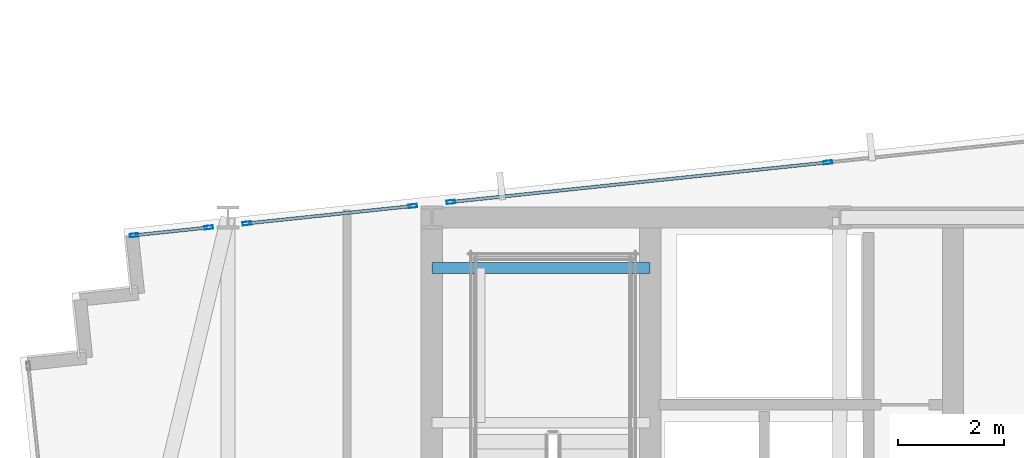
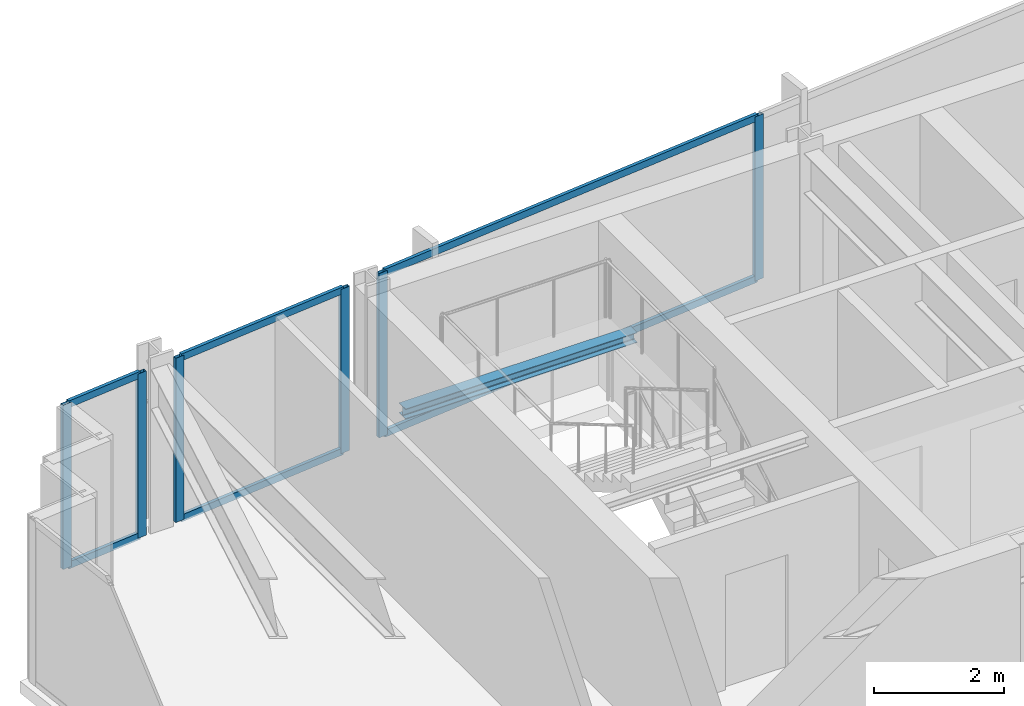
# One storey, part 20 of 33: 12 members, 1 beam, 3 elements without a shape of their own.
"""IFC4 building model written with IfcOpenShell, lengths in metres."""

from ifc_helpers import new_model, si_unit, direction, frame, origin, origin_2d, place, context, subcontext, project, spatial, hollow_rectangle, i_section, extrude, material, material_profile, profile_set, type_object, element, aggregate, save


model = new_model("IFC4")

# Units and contexts
model_context = context("Model", 3, precision=1e-05, world=origin(), true_north=direction((0.0, 1.0)))
body_context = subcontext(model_context, "Body", "Model", "MODEL_VIEW")
ifc_project = project(units=[si_unit("LENGTHUNIT", "METRE"), si_unit("AREAUNIT", "SQUARE_METRE"), si_unit("VOLUMEUNIT", "CUBIC_METRE"), si_unit("PLANEANGLEUNIT", "RADIAN"), si_unit("MASSUNIT", "GRAM", prefix="KILO")], contexts=[model_context])

# Site, building, storey
site_placement = place(None, origin())
site = spatial("IfcSite", under=ifc_project, at=site_placement, CompositionType="ELEMENT")
building_placement = place(site_placement, origin())
building = spatial("IfcBuilding", under=site, at=building_placement, Name="Yelkora Congress Tower", CompositionType="ELEMENT")
storey_placement = place(building_placement, frame((0.0, 0.0, 221.0)))
storey = spatial("IfcBuildingStorey", under=building, at=storey_placement, Name="L61", CompositionType="ELEMENT", Elevation=221.0)

# Beam
ifc_material_1 = material(Name="Steel S355J2", Category="steel")
ifc_material_profile_1 = material_profile(ifc_material_1, i_section(OverallWidth=0.199951171875, OverallDepth=0.18994140625, WebThickness=0.006591796875, FlangeThickness=0.010009765625, FilletRadius=0.01806640625, at=origin_2d()), Name="HEA 200")
ifc_profile_set_1 = profile_set([ifc_material_profile_1], Name="Steel S355J2")
beam_type = type_object("IfcBeamType", Name="BM-LAND-HEA200", PredefinedType="BEAM", material=ifc_profile_set_1)
beam_placement = place(storey_placement, frame((23.0400390625, 45.25, 1.334716796875), z_axis=(1.0, 0.0, 0.0), x_axis=(0.0, 1.0, 0.0)))
element("IfcBeam", 1, at=beam_placement, inside=storey, type_object=beam_type, Name="ST-01 L61 Landing Header Beam 1N", PredefinedType="BEAM", context=body_context, shape_type="SweptSolid", body=[
    extrude(i_section(OverallWidth=0.199951171875, OverallDepth=0.18994140625, WebThickness=0.006591796875, FlangeThickness=0.010009765625, FilletRadius=0.01806640625, at=origin_2d()), origin(), (0.0, 0.0, 1.0), 4.10986328125),
])

# Curtain wall, members
ifc_material_2 = material(Name="Anodised aluminium and insulated glass", Category="aluminium")
curtain_wall_type = type_object("IfcCurtainWallType", Name="CW-SYS-B4", PredefinedType="NOTDEFINED", material=ifc_material_2)
curtain_wall_1_placement = place(storey_placement, origin())
curtain_wall_1 = element("IfcCurtainWall", 2, at=curtain_wall_1_placement, inside=storey, type_object=curtain_wall_type, Name="L61 Unitised Curtain Wall 10 (1)", PredefinedType="NOTDEFINED")
ifc_material_3 = material(Name="Anodised aluminium 6063-T6", Category="aluminium")
ifc_material_profile_2 = material_profile(ifc_material_3, hollow_rectangle(XDim=0.06494140625, YDim=0.159912109375, WallThickness=0.00390625, at=origin_2d()), Name="ALU 65x160x4")
ifc_profile_set_2 = profile_set([ifc_material_profile_2], Name="Anodised aluminium 6063-T6")
member_type_1 = type_object("IfcMemberType", Name="MEM-ML-B4", PredefinedType="MULLION", material=ifc_profile_set_2)
member_1_placement = place(storey_placement, frame((17.431396484375, 45.865966796875, 0.0), z_axis=(0.0, 0.0, 1.0), x_axis=(-0.104509292244, 0.994523910137, 0.0)))
member_1 = element("IfcMember", 3, at=member_1_placement, type_object=member_type_1, Name="CW-B4 mullion 1", PredefinedType="MULLION", context=body_context, shape_type="SweptSolid", body=[
    extrude(hollow_rectangle(XDim=0.06494140625, YDim=0.159912109375, WallThickness=0.00390625, at=origin_2d()), origin(), (0.0, 0.0, 1.0), 3.080078125),
])
member_2_placement = place(storey_placement, frame((18.841796875, 46.01416015625, 0.0), z_axis=(0.0, 0.0, 1.0), x_axis=(-0.104509292244, 0.994523910137, 0.0)))
member_2 = element("IfcMember", 4, at=member_2_placement, type_object=member_type_1, Name="CW-B4 mullion 2", PredefinedType="MULLION", context=body_context, shape_type="SweptSolid", body=[
    extrude(hollow_rectangle(XDim=0.06494140625, YDim=0.159912109375, WallThickness=0.00390625, at=origin_2d()), origin(), (0.0, 0.0, 1.0), 3.080078125),
])

curtain_wall_2_placement = place(storey_placement, origin())
curtain_wall_2 = element("IfcCurtainWall", 5, at=curtain_wall_2_placement, inside=storey, type_object=curtain_wall_type, Name="L61 Unitised Curtain Wall 10 (2)", PredefinedType="NOTDEFINED")
member_3_placement = place(storey_placement, frame((19.558349609375, 46.089599609375, 0.0), z_axis=(0.0, 0.0, 1.0), x_axis=(-0.104506154437, 0.994524239868, 0.0)))
member_3 = element("IfcMember", 6, at=member_3_placement, type_object=member_type_1, Name="CW-B4 mullion 1", PredefinedType="MULLION", context=body_context, shape_type="SweptSolid", body=[
    extrude(hollow_rectangle(XDim=0.06494140625, YDim=0.159912109375, WallThickness=0.00390625, at=origin_2d()), origin(), (0.0, 0.0, 1.0), 3.080078125),
])
member_4_placement = place(storey_placement, frame((22.681640625, 46.417724609375, 0.0), z_axis=(0.0, 0.0, 1.0), x_axis=(-0.104506154437, 0.994524239868, 0.0)))
member_4 = element("IfcMember", 7, at=member_4_placement, type_object=member_type_1, Name="CW-B4 mullion 2", PredefinedType="MULLION", context=body_context, shape_type="SweptSolid", body=[
    extrude(hollow_rectangle(XDim=0.06494140625, YDim=0.159912109375, WallThickness=0.00390625, at=origin_2d()), origin(), (0.0, 0.0, 1.0), 3.080078125),
])

curtain_wall_3_placement = place(storey_placement, origin())
curtain_wall_3 = element("IfcCurtainWall", 8, at=curtain_wall_3_placement, inside=storey, type_object=curtain_wall_type, Name="L61 Unitised Curtain Wall 10 (3)", PredefinedType="NOTDEFINED")
member_5_placement = place(storey_placement, frame((23.3984375, 46.4931640625, 0.0), z_axis=(0.0, 0.0, 1.0), x_axis=(-0.104527724021, 0.994521973066, 0.0)))
member_5 = element("IfcMember", 9, at=member_5_placement, type_object=member_type_1, Name="CW-B4 mullion 1", PredefinedType="MULLION", context=body_context, shape_type="SweptSolid", body=[
    extrude(hollow_rectangle(XDim=0.06494140625, YDim=0.159912109375, WallThickness=0.00390625, at=origin_2d()), origin(), (0.0, 0.0, 1.0), 3.080078125),
])
member_6_placement = place(storey_placement, frame((30.496826171875, 47.2392578125, 0.0), z_axis=(0.0, 0.0, 1.0), x_axis=(-0.104527724021, 0.994521973066, 0.0)))
member_6 = element("IfcMember", 10, at=member_6_placement, type_object=member_type_1, Name="CW-B4 mullion 2", PredefinedType="MULLION", context=body_context, shape_type="SweptSolid", body=[
    extrude(hollow_rectangle(XDim=0.06494140625, YDim=0.159912109375, WallThickness=0.00390625, at=origin_2d()), origin(), (0.0, 0.0, 1.0), 3.080078125),
])

# Member
ifc_material_profile_3 = material_profile(ifc_material_3, hollow_rectangle(XDim=0.06005859375, YDim=0.1298828125, WallThickness=0.00390625, at=origin_2d()), Name="ALU 60x130x4")
ifc_profile_set_3 = profile_set([ifc_material_profile_3], Name="Anodised aluminium 6063-T6")
member_type_2 = type_object("IfcMemberType", Name="MEM-TR-B4", PredefinedType="USERDEFINED", material=ifc_profile_set_3)
member_7_placement = place(storey_placement, frame((17.463623046875, 45.869384765625, 0.030029296875), z_axis=(0.994528168538, 0.10446876081, 0.0), x_axis=(-0.10446876081, 0.994528168538, 0.0)))
member_7 = element("IfcMember", 11, at=member_7_placement, type_object=member_type_2, Name="CW-B4 transom 1.1", ObjectType="TRANSOM", PredefinedType="USERDEFINED", context=body_context, shape_type="SweptSolid", body=[
    extrude(hollow_rectangle(XDim=0.06005859375, YDim=0.1298828125, WallThickness=0.00390625, at=origin_2d()), origin(), (0.0, 0.0, 1.0), 1.35302734375),
])

member_8_placement = place(storey_placement, frame((17.463623046875, 45.869384765625, 3.050048828125), z_axis=(0.994528168538, 0.10446876081, 0.0), x_axis=(-0.10446876081, 0.994528168538, 0.0)))
member_8 = element("IfcMember", 12, at=member_8_placement, type_object=member_type_2, Name="CW-B4 transom 1.2", ObjectType="TRANSOM", PredefinedType="USERDEFINED", context=body_context, shape_type="SweptSolid", body=[
    extrude(hollow_rectangle(XDim=0.06005859375, YDim=0.1298828125, WallThickness=0.00390625, at=origin_2d()), origin(), (0.0, 0.0, 1.0), 1.35302734375),
])

aggregate(curtain_wall_1, [member_1, member_2, member_7, member_8])

member_9_placement = place(storey_placement, frame((19.590576171875, 46.093017578125, 0.030029296875), z_axis=(0.994528915126, 0.104461653149, 0.0), x_axis=(-0.104461653149, 0.994528915126, 0.0)))
member_9 = element("IfcMember", 13, at=member_9_placement, type_object=member_type_2, Name="CW-B4 transom 1.1", ObjectType="TRANSOM", PredefinedType="USERDEFINED", context=body_context, shape_type="SweptSolid", body=[
    extrude(hollow_rectangle(XDim=0.06005859375, YDim=0.1298828125, WallThickness=0.00390625, at=origin_2d()), origin(), (0.0, 0.0, 1.0), 3.07568359375),
])

member_10_placement = place(storey_placement, frame((19.590576171875, 46.093017578125, 3.050048828125), z_axis=(0.994528915126, 0.104461653149, 0.0), x_axis=(-0.104461653149, 0.994528915126, 0.0)))
member_10 = element("IfcMember", 14, at=member_10_placement, type_object=member_type_2, Name="CW-B4 transom 1.2", ObjectType="TRANSOM", PredefinedType="USERDEFINED", context=body_context, shape_type="SweptSolid", body=[
    extrude(hollow_rectangle(XDim=0.06005859375, YDim=0.1298828125, WallThickness=0.00390625, at=origin_2d()), origin(), (0.0, 0.0, 1.0), 3.07568359375),
])

aggregate(curtain_wall_2, [member_3, member_4, member_9, member_10])

member_11_placement = place(storey_placement, frame((23.4306640625, 46.49658203125, 0.030029296875), z_axis=(0.994522085625, 0.104526653081, 0.0), x_axis=(-0.104526653081, 0.994522085625, 0.0)))
member_11 = element("IfcMember", 15, at=member_11_placement, type_object=member_type_2, Name="CW-B4 transom 1.1", ObjectType="TRANSOM", PredefinedType="USERDEFINED", context=body_context, shape_type="SweptSolid", body=[
    extrude(hollow_rectangle(XDim=0.06005859375, YDim=0.1298828125, WallThickness=0.00390625, at=origin_2d()), origin(), (0.0, 0.0, 1.0), 7.072509765625),
])

member_12_placement = place(storey_placement, frame((23.4306640625, 46.49658203125, 3.050048828125), z_axis=(0.994522085625, 0.104526653081, 0.0), x_axis=(-0.104526653081, 0.994522085625, 0.0)))
member_12 = element("IfcMember", 16, at=member_12_placement, type_object=member_type_2, Name="CW-B4 transom 1.2", ObjectType="TRANSOM", PredefinedType="USERDEFINED", context=body_context, shape_type="SweptSolid", body=[
    extrude(hollow_rectangle(XDim=0.06005859375, YDim=0.1298828125, WallThickness=0.00390625, at=origin_2d()), origin(), (0.0, 0.0, 1.0), 7.072509765625),
])

aggregate(curtain_wall_3, [member_5, member_6, member_11, member_12])

save(model, "model.ifc")
